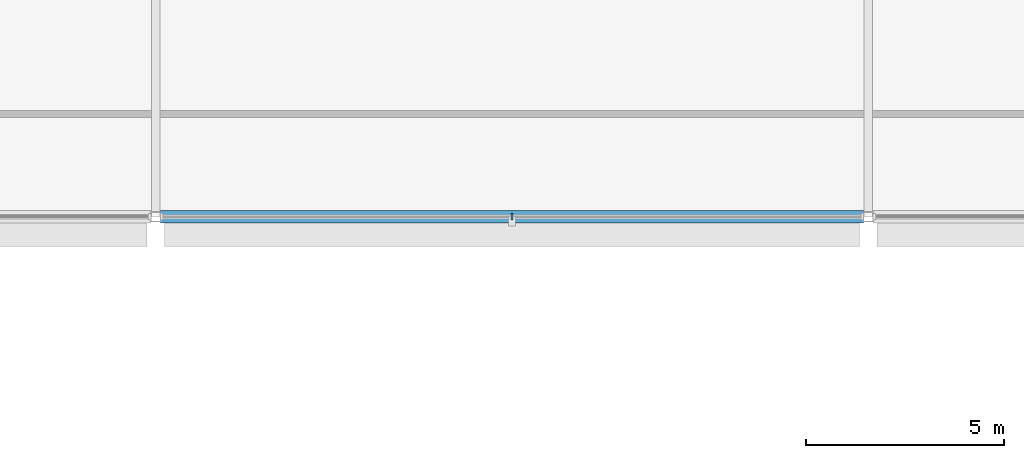
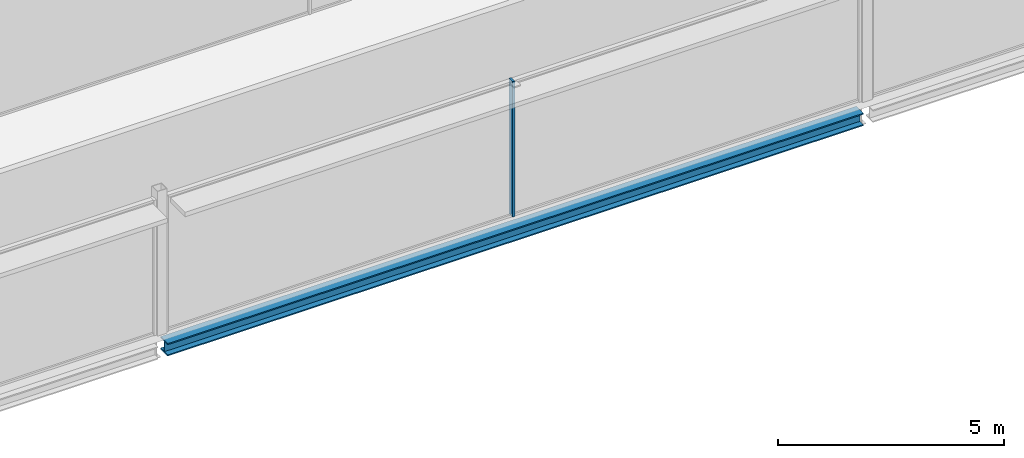
# One storey, part 27 of 96: 1 beam, 1 member, 1 element without a shape of its own.
"""IFC4 building model written with IfcOpenShell, lengths in metres."""

import ifcopenshell
import ifcopenshell.guid

model = None  # the IFC model being written
_history = None  # IfcOwnerHistory: only IFC2X3 demands one
_inside = {}  # id of a spatial element -> (the spatial element, [elements in it])
_under = {}  # id of a project, library or spatial element -> (it, [spatial elements below it])
_declared = {}  # id of a project -> (the project, [libraries it declares])
_typed = {}  # id of a type object -> (the type object, [elements of that type])
_made_of = {}  # id of a material, layer set ... -> (it, [elements and type objects made of it])


def new_model(schema):
    """Start an empty IFC model of exactly this schema.

    Asked for "IFC4X3", IfcOpenShell would pick the latest addendum, in which some entities
    have other attributes; the version numbers below select the first issue.
    IFC2X3 requires an IfcOwnerHistory on every rooted entity: one is made here for all.
    """
    global model, _history
    if schema == "IFC4X3":
        model = ifcopenshell.file(schema_version=(4, 3, 0, 0))
    else:
        model = ifcopenshell.file(schema=schema)
    _inside.clear()
    _under.clear()
    _declared.clear()
    _typed.clear()
    _made_of.clear()
    _history = None
    if model.schema == "IFC2X3":
        org = make("IfcOrganization", Name="unknown")
        user = make(
            "IfcPersonAndOrganization",
            ThePerson=make("IfcPerson", FamilyName="unknown"),
            TheOrganization=org,
        )
        app = make(
            "IfcApplication",
            ApplicationDeveloper=org,
            Version="unknown",
            ApplicationFullName="unknown",
            ApplicationIdentifier="unknown",
        )
        _history = make(
            "IfcOwnerHistory",
            OwningUser=user,
            OwningApplication=app,
            ChangeAction="ADDED",
            CreationDate=0,
        )
    return model


def make(cls, **values):
    """One entity of the class cls with the attributes given. An attribute that is None is left unset."""
    return model.create_entity(
        cls, **{name: value for name, value in values.items() if value is not None}
    )


def rooted(cls, **values):
    """An entity with a GlobalId (a new one), such as an element, a storey or a relation."""
    return make(cls, GlobalId=ifcopenshell.guid.new(), OwnerHistory=_history, **values)


def si_unit(unit_type, name, prefix=None):
    """IfcSIUnit, for example si_unit("LENGTHUNIT", "METRE", prefix="MILLI")."""
    return make("IfcSIUnit", UnitType=unit_type, Prefix=prefix, Name=name)


def assignment(units):
    """IfcUnitAssignment: the units of a project."""
    return None if units is None else make("IfcUnitAssignment", Units=units)


def point(xyz):
    """IfcCartesianPoint."""
    return None if xyz is None else make("IfcCartesianPoint", Coordinates=xyz)


def direction(xyz):
    """IfcDirection."""
    return None if xyz is None else make("IfcDirection", DirectionRatios=xyz)


def frame(location, z_axis=None, x_axis=None):
    """IfcAxis2Placement3D, a coordinate frame: its origin and axes. An axis left out is left unset."""
    return make(
        "IfcAxis2Placement3D",
        Location=point(location),
        Axis=direction(z_axis),
        RefDirection=direction(x_axis),
    )


def frame_2d(location, x_axis=None):
    """IfcAxis2Placement2D, a coordinate frame in the plane: its origin and x axis."""
    return make(
        "IfcAxis2Placement2D", Location=point(location), RefDirection=direction(x_axis)
    )


def origin():
    """The frame at (0, 0, 0) with its axes left unset."""
    return frame((0.0, 0.0, 0.0))


def origin_2d():
    """The frame at (0, 0) in the plane with its x axis left unset."""
    return frame_2d((0.0, 0.0))


def place(relative_to, where):
    """IfcLocalPlacement: puts the frame where relative to a parent placement (None: the world)."""
    return make(
        "IfcLocalPlacement", PlacementRelTo=relative_to, RelativePlacement=where
    )


def context(
    kind, dimensions, precision=None, world=None, true_north=None, identifier=None
):
    """IfcGeometricRepresentationContext, for example the 3D "Model" context."""
    return make(
        "IfcGeometricRepresentationContext",
        ContextIdentifier=identifier,
        ContextType=kind,
        CoordinateSpaceDimension=dimensions,
        Precision=precision,
        WorldCoordinateSystem=world,
        TrueNorth=true_north,
    )


def subcontext(parent, identifier, kind, view, scale=None):
    """IfcGeometricRepresentationSubContext, for example "Body" below "Model"."""
    return make(
        "IfcGeometricRepresentationSubContext",
        ContextIdentifier=identifier,
        ContextType=kind,
        ParentContext=parent,
        TargetScale=scale,
        TargetView=view,
    )


def project(units=None, contexts=None):
    """IfcProject with its units and contexts."""
    return rooted(
        "IfcProject",
        Name="project",
        RepresentationContexts=contexts,
        UnitsInContext=assignment(units),
    )


def spatial(cls, under=None, at=None, **own):
    """A site, building, storey or space (cls), placed at a placement, below another one or the project."""
    s = rooted(cls, ObjectPlacement=at, **own)
    if under is not None:
        _under.setdefault(under.id(), (under, []))[1].append(s)
    return s


def profile(cls, at=None, kind="AREA", **sizes):
    """A parametric profile (cls). Its sizes go by their IFC names, for example OverallWidth=200.0."""
    return make(cls, ProfileType=kind, Position=at, **sizes)


def rectangle(**sizes):
    """IfcRectangleProfileDef."""
    return profile("IfcRectangleProfileDef", **sizes)


def i_section(**sizes):
    """IfcIShapeProfileDef."""
    return profile("IfcIShapeProfileDef", **sizes)


def extrude(swept, where, along, depth):
    """IfcExtrudedAreaSolid: the profile swept, set in the frame where, extruded along a direction by depth."""
    return make(
        "IfcExtrudedAreaSolid",
        SweptArea=swept,
        Position=where,
        ExtrudedDirection=direction(along),
        Depth=depth,
    )


def shape(context_of_items, identifier, shape_type, items):
    """IfcShapeRepresentation: the items that make up one representation, for example the "Body"."""
    return make(
        "IfcShapeRepresentation",
        ContextOfItems=context_of_items,
        RepresentationIdentifier=identifier,
        RepresentationType=shape_type,
        Items=items,
    )


def material(Name=None, Category=None):
    """IfcMaterial."""
    return make("IfcMaterial", Name=Name, Category=Category)


def layer(
    of_material, thickness, ventilated=None, Name=None, Category=None, Priority=None
):
    """IfcMaterialLayer: one layer of a wall or slab, of a material (None: an air gap)."""
    return make(
        "IfcMaterialLayer",
        Material=of_material,
        LayerThickness=thickness,
        IsVentilated=ventilated,
        Name=Name,
        Category=Category,
        Priority=Priority,
    )


def layer_set(layers, Name=None):
    """IfcMaterialLayerSet."""
    return make("IfcMaterialLayerSet", MaterialLayers=layers, LayerSetName=Name)


def material_profile(
    of_material, cross_section, Name=None, Category=None, Priority=None
):
    """IfcMaterialProfile: a cross section and its material."""
    return make(
        "IfcMaterialProfile",
        Name=Name,
        Material=of_material,
        Profile=cross_section,
        Priority=Priority,
        Category=Category,
    )


def profile_set(profiles, Name=None, composite=None):
    """IfcMaterialProfileSet."""
    return make(
        "IfcMaterialProfileSet",
        Name=Name,
        MaterialProfiles=profiles,
        CompositeProfile=composite,
    )


def made_of(thing, what):
    """Note that an element or type object is made of a material, layer set ...; save() writes the relation."""
    if what is not None:
        _made_of.setdefault(what.id(), (what, []))[1].append(thing)
    return thing


def type_object(cls, material=None, **own):
    """A type object (cls), such as IfcWallType, which elements share."""
    return made_of(rooted(cls, **own), material)


def element(
    cls,
    number,
    at=None,
    inside=None,
    cuts=None,
    type_object=None,
    material=None,
    context=None,
    identifier="Body",
    shape_type=None,
    held_by="IfcProductDefinitionShape",
    body=None,
    shapes=None,
    **own,
):
    """One element of the class cls, such as IfcWall. Its Tag is "e" and its number.

    at: its placement. inside: the storey or other place that contains it. cuts: it is an
    opening in that element (IfcRelVoidsElement). A single representation is given by context,
    identifier, shape_type and body (its items); several are given by shapes. held_by: the class
    of the entity that holds the representations. save() writes the other relations.
    """
    e = rooted(cls, Tag="e%d" % number, ObjectPlacement=at, **own)
    if body is not None:
        shapes = [shape(context, identifier, shape_type, body)]
    if shapes is not None:
        e.Representation = make(held_by, Representations=shapes)
    if inside is not None:
        _inside.setdefault(inside.id(), (inside, []))[1].append(e)
    if cuts is not None:
        rooted(
            "IfcRelVoidsElement", RelatingBuildingElement=cuts, RelatedOpeningElement=e
        )
    if type_object is not None:
        _typed.setdefault(type_object.id(), (type_object, []))[1].append(e)
    return made_of(e, material)


def aggregate(whole, parts):
    """IfcRelAggregates: a whole, such as a stair, and the parts it consists of."""
    return rooted("IfcRelAggregates", RelatingObject=whole, RelatedObjects=parts)


def save(model, path):
    """Write the relations noted so far, then the file.

    IfcRelAggregates (storeys below a building ...), IfcRelContainedInSpatialStructure (elements
    in a storey), IfcRelDefinesByType, IfcRelAssociatesMaterial and IfcRelDeclares: one each for
    every whole, place, type object, material and project.
    """
    for whole, parts in _under.values():
        aggregate(whole, parts)
    for where, things in _inside.values():
        rooted(
            "IfcRelContainedInSpatialStructure",
            RelatedElements=things,
            RelatingStructure=where,
        )
    for kind, things in _typed.values():
        rooted("IfcRelDefinesByType", RelatedObjects=things, RelatingType=kind)
    for what, things in _made_of.values():
        rooted("IfcRelAssociatesMaterial", RelatedObjects=things, RelatingMaterial=what)
    for by, libraries in _declared.values():
        rooted("IfcRelDeclares", RelatingContext=by, RelatedDefinitions=libraries)
    model.write(path)


model = new_model("IFC4")

# Units and contexts
model_context = context("Model", 3, precision=1e-05, world=origin(), true_north=direction((0.0, 1.0)))
body_context = subcontext(model_context, "Body", "Model", "MODEL_VIEW")
ifc_project = project(units=[si_unit("LENGTHUNIT", "METRE"), si_unit("AREAUNIT", "SQUARE_METRE"), si_unit("VOLUMEUNIT", "CUBIC_METRE"), si_unit("PLANEANGLEUNIT", "RADIAN"), si_unit("MASSUNIT", "GRAM", prefix="KILO")], contexts=[model_context])

# Site, building, storey
site_placement = place(None, origin())
site = spatial("IfcSite", under=ifc_project, at=site_placement, CompositionType="ELEMENT")
building_placement = place(site_placement, origin())
building = spatial("IfcBuilding", under=site, at=building_placement, Name="Kisiwana Market Hall", CompositionType="ELEMENT")
storey_placement = place(building_placement, frame((0.0, 0.0, 25.5)))
storey = spatial("IfcBuildingStorey", under=building, at=storey_placement, Name="L05", CompositionType="ELEMENT", Elevation=25.5)

# Beam
ifc_material_1 = material(Name="Steel S355", Category="steel")
ifc_material_profile_1 = material_profile(ifc_material_1, i_section(OverallWidth=0.314453125, OverallDepth=0.33984375, WebThickness=0.01904296875, FlangeThickness=0.031494140625, at=origin_2d()), Name="UC 305x305x198")
ifc_profile_set_1 = profile_set([ifc_material_profile_1], Name="Steel S355")
beam_type = type_object("IfcBeamType", Name="BM-SKYBR-CHORD", PredefinedType="BEAM", material=ifc_profile_set_1)
beam_placement = place(storey_placement, frame((117.12109375, 18.0, -0.43505859375), z_axis=(1.0, 0.0, 0.0), x_axis=(0.0, 1.0, 0.0)))
element("IfcBeam", 1, at=beam_placement, inside=storey, type_object=beam_type, Name="Floor beam B-1611", PredefinedType="BEAM", context=body_context, shape_type="SweptSolid", body=[
    extrude(i_section(OverallWidth=0.314453125, OverallDepth=0.33984375, WebThickness=0.01904296875, FlangeThickness=0.031494140625, at=origin_2d()), origin(), (0.0, 0.0, 1.0), 17.7578125),
])

# Curtain wall, member
ifc_material_2 = material(Name="Double-glazed solar-control low-E IGU", Category="glass")
ifc_layer = layer(ifc_material_2, 0.159912109375)
ifc_layer_set = layer_set([ifc_layer], Name="CW-ZNA-EW-8200")
curtain_wall_type = type_object("IfcCurtainWallType", Name="CW-ZNA-EW-8200", PredefinedType="USERDEFINED", material=ifc_layer_set)
curtain_wall_placement = place(storey_placement, origin())
curtain_wall = element("IfcCurtainWall", 2, at=curtain_wall_placement, inside=storey, type_object=curtain_wall_type, Name="Unitised curtain wall CW-136 (L05)", ObjectType="UNITISED CURTAIN WALL", PredefinedType="USERDEFINED")
ifc_material_3 = material(Name="Aluminium alloy 6063-T6", Category="aluminium")
ifc_material_profile_2 = material_profile(ifc_material_3, rectangle(XDim=0.06005859375, YDim=0.159912109375, at=origin_2d()), Name="ALU MULLION 60x160")
ifc_profile_set_2 = profile_set([ifc_material_profile_2], Name="Aluminium alloy 6063-T6")
member_type = type_object("IfcMemberType", Name="CW-MULL-60x160", PredefinedType="MULLION", material=ifc_profile_set_2)
member_placement = place(storey_placement, frame((126.0, 18.0, 0.0), z_axis=(0.0, 0.0, 1.0), x_axis=(1.0, 0.0, 0.0)))
member = element("IfcMember", 3, at=member_placement, type_object=member_type, Name="CW-136 mullion 2", PredefinedType="MULLION", context=body_context, shape_type="SweptSolid", body=[
    extrude(rectangle(XDim=0.06005859375, YDim=0.159912109375, at=origin_2d()), origin(), (0.0, 0.0, 1.0), 3.655029296875),
])
aggregate(curtain_wall, [member])

save(model, "model.ifc")
